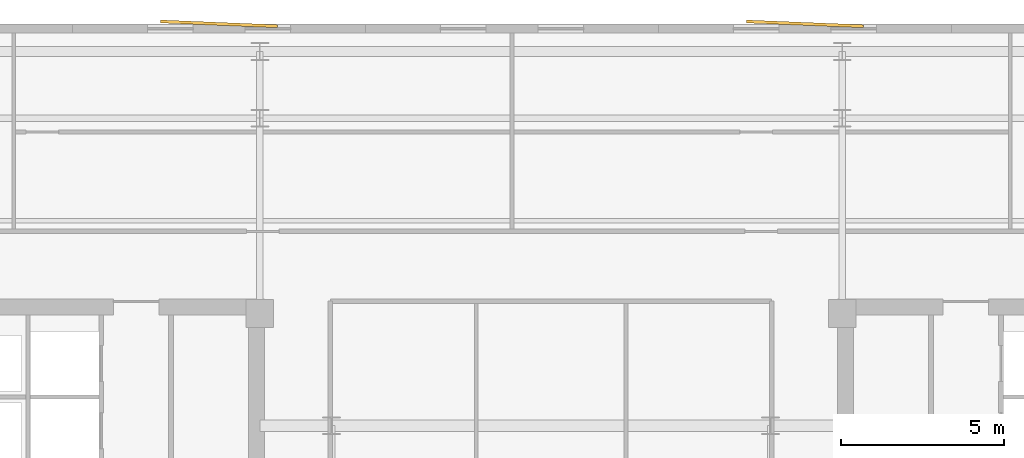
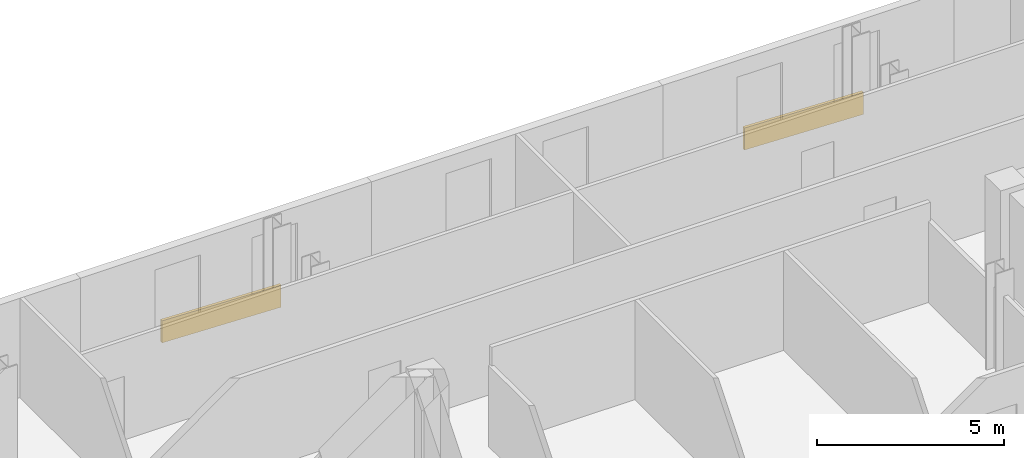
# One storey, part 9 of 9: 2 coverings.
"""IFC4 building model written with IfcOpenShell, lengths in metres."""

from ifc_helpers import new_model, si_unit, direction, frame, origin, origin_2d, place, context, subcontext, project, spatial, rectangle, extrude, material, layer, layer_set, type_object, element, save


model = new_model("IFC4")

# Units and contexts
model_context = context("Model", 3, precision=1e-05, world=origin(), true_north=direction((0.0, 1.0)))
body_context = subcontext(model_context, "Body", "Model", "MODEL_VIEW")
ifc_project = project(units=[si_unit("LENGTHUNIT", "METRE"), si_unit("AREAUNIT", "SQUARE_METRE"), si_unit("VOLUMEUNIT", "CUBIC_METRE"), si_unit("PLANEANGLEUNIT", "RADIAN"), si_unit("MASSUNIT", "GRAM", prefix="KILO")], contexts=[model_context])

# Site, building, storey
site_placement = place(None, origin())
site = spatial("IfcSite", under=ifc_project, at=site_placement, CompositionType="ELEMENT")
building_placement = place(site_placement, origin())
building = spatial("IfcBuilding", under=site, at=building_placement, Name="Velakula Bourse", CompositionType="ELEMENT")
storey_placement = place(building_placement, frame((0.0, 0.0, 229.199951171875)))
storey = spatial("IfcBuildingStorey", under=building, at=storey_placement, Name="L62", CompositionType="ELEMENT", Elevation=229.199951171875)

# Coverings
ifc_material = material(Name="Red kilned clay facing brick masonry", Category="masonry")
ifc_layer = layer(ifc_material, 0.090087890625, Name="Red kilned clay facing brick masonry", Category="masonry")
ifc_layer_set = layer_set([ifc_layer], Name="Red kilned clay facing brick masonry")
covering_type = type_object("IfcCoveringType", Name="COV-BRK-FOLD-90", PredefinedType="CLADDING", material=ifc_layer_set)
for number, where, z_axis, x_axis, name in (
    (1, (-10.199951171875, 17.5, 0.0), (0.0, 0.0, 1.0), (0.999158993058, -0.041003738744, 0.0), "L62 Folded Brick Facade Cladding Panel N-B2"),
    (2, (7.800048828125, 17.5, 0.0), (0.0, 0.0, 1.0), (0.999158993058, -0.041003738744, 0.0), "L62 Folded Brick Facade Cladding Panel N-B4"),
):
    element("IfcCovering", number, at=place(storey_placement, frame(where, z_axis=z_axis, x_axis=x_axis)), inside=storey, type_object=covering_type, Name=name, PredefinedType="CLADDING", context=body_context, shape_type="SweptSolid", body=[
        extrude(rectangle(XDim=3.60009765625, YDim=0.090087890625, at=origin_2d()), origin(), (0.0, 0.0, 1.0), 0.719970703125),
    ])

save(model, "model.ifc")
